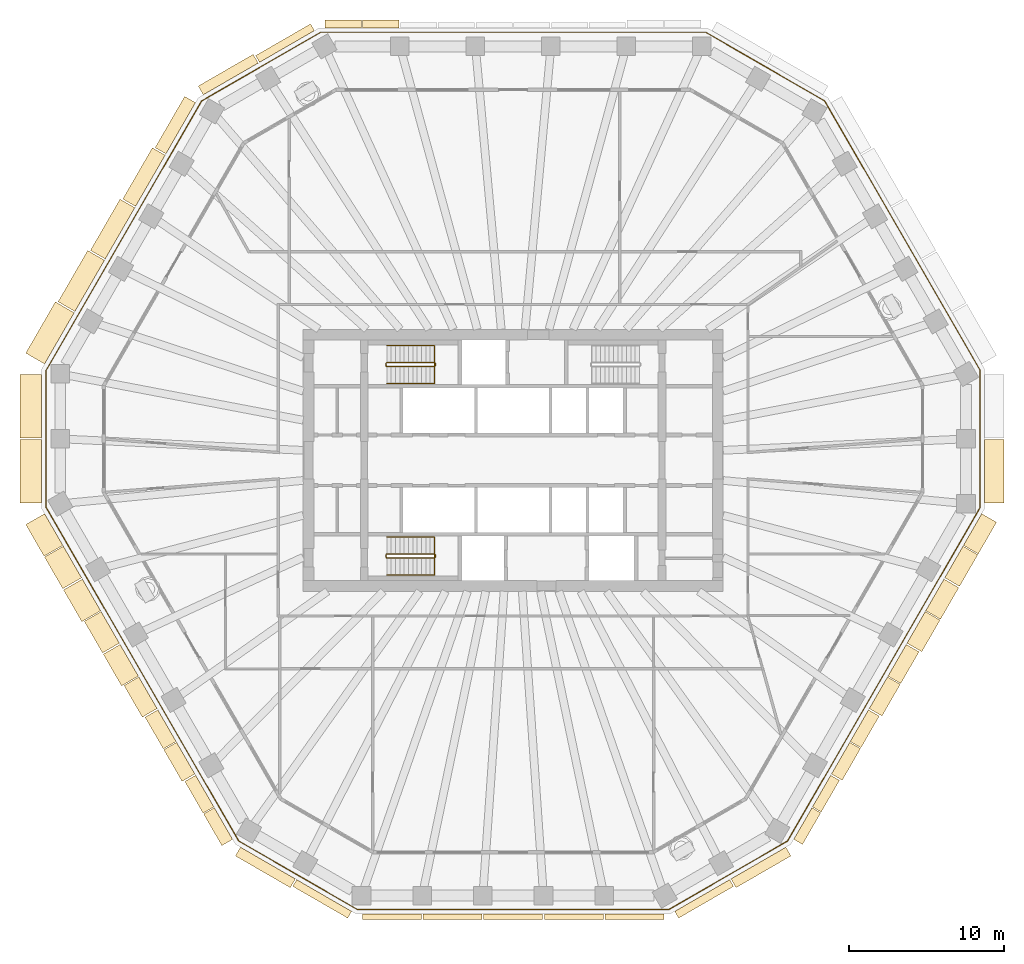
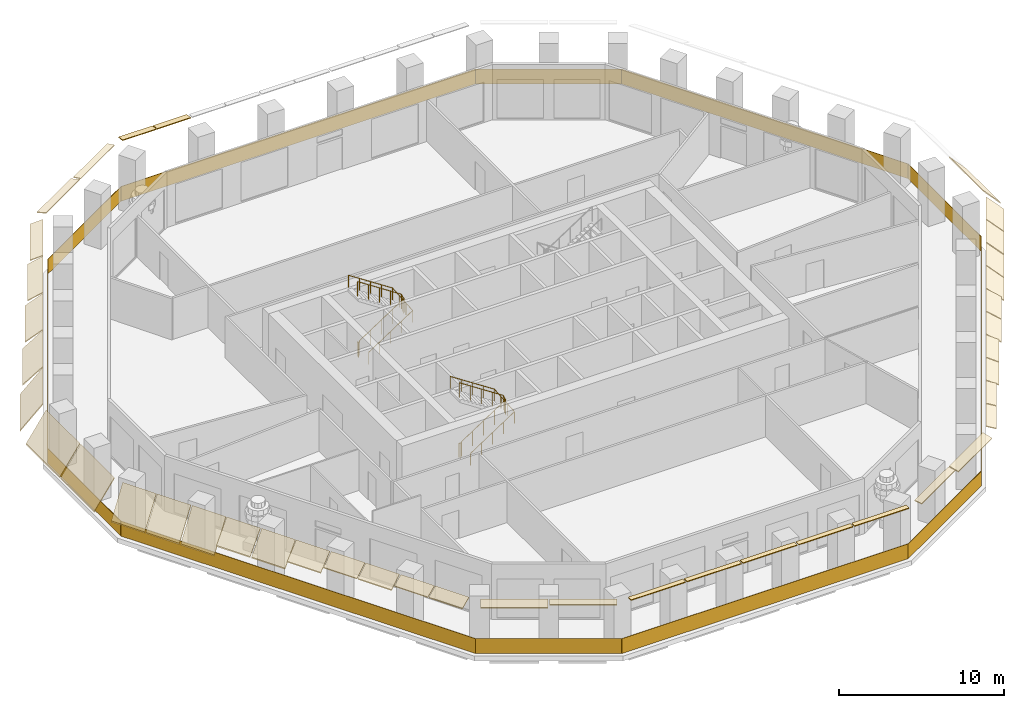
# One storey, part 9 of 12: 41 coverings, 5 railings.
"""IFC4 building model written with IfcOpenShell, lengths in metres."""

from ifc_helpers import new_model, si_unit, direction, frame, origin, origin_2d, place, context, subcontext, project, spatial, polyline, rectangle, circle, outline, extrude, material, layer, layer_set, type_object, element, save


model = new_model("IFC4")

# Units and contexts
model_context = context("Model", 3, precision=1e-05, world=origin(), true_north=direction((0.0, 1.0)))
body_context = subcontext(model_context, "Body", "Model", "MODEL_VIEW")
ifc_project = project(units=[si_unit("LENGTHUNIT", "METRE"), si_unit("AREAUNIT", "SQUARE_METRE"), si_unit("VOLUMEUNIT", "CUBIC_METRE"), si_unit("PLANEANGLEUNIT", "RADIAN"), si_unit("MASSUNIT", "GRAM", prefix="KILO")], contexts=[model_context])

# Site, building, storey
site_placement = place(None, origin())
site = spatial("IfcSite", under=ifc_project, at=site_placement, CompositionType="ELEMENT")
building_placement = place(site_placement, origin())
building = spatial("IfcBuilding", under=site, at=building_placement, Name="Frailejon Research Tower", CompositionType="ELEMENT")
storey_placement = place(building_placement, frame((0.0, 0.0, 189.199951171875)))
storey = spatial("IfcBuildingStorey", under=building, at=storey_placement, Name="L41", CompositionType="ELEMENT", Elevation=189.199951171875)

# Coverings
ifc_material_1 = material(Name="Precast concrete C50/60", Category="concrete")
ifc_layer_1 = layer(ifc_material_1, 0.06005859375)
ifc_layer_set_1 = layer_set([ifc_layer_1], Name="Brim blade depth 1100")
covering_type_1 = type_object("IfcCoveringType", Name="Brim blade depth 1100", PredefinedType="CLADDING", material=ifc_layer_set_1)
covering_1_placement = place(storey_placement, frame((-26.312744140625, 12.990478515625, 4.25), z_axis=(0.500001217064, 0.866024701111, 0.0), x_axis=(-0.866024701111, 0.500001217064, 0.0)))
element("IfcCovering", 1, at=covering_1_placement, inside=storey, type_object=covering_type_1, Name="Brim blade L41", PredefinedType="CLADDING", context=body_context, shape_type="SweptSolid", body=[
    extrude(outline(polyline([(0.0, -0.078369140625), (1.10009765625, -1.001220703125), (1.10009765625, -0.923095703125), (0.0, 0.0), (0.0, -0.078369140625)])), origin(), (0.0, 0.0, 1.0), 3.8125),
])
for number, where, z_axis, x_axis, name in (
    (2, (-22.969482421875, -16.015625, 4.25), (-0.50000563012, 0.866022153209, 0.0), (-0.866022153209, -0.50000563012, 0.0), "Brim blade L41"),
    (3, (26.58251953125, -9.7578125, 4.25), (-0.499996739973, -0.866027285954, 0.0), (0.866027285954, -0.499996739973, 0.0), "Brim blade L41"),
    (4, (27.7900390625, -7.666259765625, 4.25), (-0.499996739973, -0.866027285954, 0.0), (0.866027285954, -0.499996739973, 0.0), "Brim blade L41"),
    (5, (29.017578125, -5.539794921875, 4.25), (-0.499996739973, -0.866027285954, 0.0), (0.866027285954, -0.499996739973, 0.0), "Brim blade L41"),
    (6, (30.225341796875, -3.447998046875, 4.25), (-0.499996739973, -0.866027285954, 0.0), (0.866027285954, -0.499996739973, 0.0), "Brim blade L41"),
):
    element("IfcCovering", number, at=place(storey_placement, frame(where, z_axis=z_axis, x_axis=x_axis)), inside=storey, type_object=covering_type_1, Name=name, PredefinedType="CLADDING", context=body_context, shape_type="SweptSolid", body=[
        extrude(outline(polyline([(0.0, -0.078369140625), (1.10009765625, -1.001220703125), (1.10009765625, -0.923095703125), (0.0, 0.0), (0.0, -0.078369140625)])), origin(), (0.0, 0.0, 1.0), 2.355224609375),
    ])
ifc_material_2 = material(Name="Precast concrete C50/60", Category="concrete")
ifc_layer_2 = layer(ifc_material_2, 0.06005859375)
ifc_layer_set_2 = layer_set([ifc_layer_2], Name="Brim blade depth 1250")
covering_type_2 = type_object("IfcCoveringType", Name="Brim blade depth 1250", PredefinedType="CLADDING", material=ifc_layer_set_2)
covering_2_placement = place(storey_placement, frame((30.4111328125, 1.332763671875, 4.25), z_axis=(0.0, -1.0, 0.0), x_axis=(1.0, 0.0, 0.0)))
element("IfcCovering", 7, at=covering_2_placement, inside=storey, type_object=covering_type_2, Name="Brim blade L41", PredefinedType="CLADDING", context=body_context, shape_type="SweptSolid", body=[
    extrude(outline(polyline([(0.0, -0.0888671875), (1.25, -1.452880859375), (1.25, -1.364013671875), (0.0, 0.0), (0.0, -0.0888671875)])), origin(), (0.0, 0.0, 1.0), 4.087646484375),
])
covering_3_placement = place(storey_placement, frame((-28.26904296875, 9.60205078125, 4.25), z_axis=(0.499990149831, 0.866031090707, 0.0), x_axis=(-0.866031090707, 0.499990149831, 0.0)))
element("IfcCovering", 8, at=covering_3_placement, inside=storey, type_object=covering_type_2, Name="Brim blade L41", PredefinedType="CLADDING", context=body_context, shape_type="SweptSolid", body=[
    extrude(outline(polyline([(0.0, -0.0888671875), (1.25, -1.452880859375), (1.25, -1.364013671875), (0.0, 0.0), (0.0, -0.0888671875)])), origin(), (0.0, 0.0, 1.0), 3.812744140625),
])
for number, where, z_axis, x_axis, name in (
    (9, (-25.40478515625, -11.797607421875, 4.25), (-0.499996739973, 0.866027285954, 0.0), (-0.866027285954, -0.499996739973, 0.0), "Brim blade L41"),
    (10, (-24.177001953125, -13.924072265625, 4.25), (-0.50000563012, 0.866022153209, 0.0), (-0.866022153209, -0.50000563012, 0.0), "Brim blade L41"),
):
    element("IfcCovering", number, at=place(storey_placement, frame(where, z_axis=z_axis, x_axis=x_axis)), inside=storey, type_object=covering_type_2, Name=name, PredefinedType="CLADDING", context=body_context, shape_type="SweptSolid", body=[
        extrude(outline(polyline([(0.0, -0.0888671875), (1.25, -1.452880859375), (1.25, -1.364013671875), (0.0, 0.0), (0.0, -0.0888671875)])), origin(), (0.0, 0.0, 1.0), 2.355224609375),
    ])
ifc_material_3 = material(Name="Precast concrete C50/60", Category="concrete")
ifc_layer_3 = layer(ifc_material_3, 0.06005859375)
ifc_layer_set_3 = layer_set([ifc_layer_3], Name="Brim blade depth 1400")
covering_type_3 = type_object("IfcCoveringType", Name="Brim blade depth 1400", PredefinedType="CLADDING", material=ifc_layer_set_3)
covering_4_placement = place(storey_placement, frame((-30.225341796875, 6.213623046875, 4.25), z_axis=(0.500001217064, 0.866024701111, 0.0), x_axis=(-0.866024701111, 0.500001217064, 0.0)))
element("IfcCovering", 11, at=covering_4_placement, inside=storey, type_object=covering_type_3, Name="Brim blade L41", PredefinedType="CLADDING", context=body_context, shape_type="SweptSolid", body=[
    extrude(outline(polyline([(0.0, -0.1044921875), (1.39990234375, -2.10400390625), (1.39990234375, -1.99951171875), (0.0, 0.0), (0.0, -0.1044921875)])), origin(), (0.0, 0.0, 1.0), 3.8125),
])
covering_5_placement = place(storey_placement, frame((-30.4111328125, 1.432861328125, 4.25), z_axis=(0.0, 1.0, 0.0), x_axis=(-1.0, 0.0, 0.0)))
element("IfcCovering", 12, at=covering_5_placement, inside=storey, type_object=covering_type_3, Name="Brim blade L41", PredefinedType="CLADDING", context=body_context, shape_type="SweptSolid", body=[
    extrude(outline(polyline([(0.0, -0.1044921875), (1.39990234375, -2.10400390625), (1.39990234375, -1.99951171875), (0.0, 0.0), (0.0, -0.1044921875)])), origin(), (0.0, 0.0, 1.0), 4.08740234375),
])
covering_6_placement = place(storey_placement, frame((-30.4111328125, -2.7548828125, 4.25), z_axis=(0.0, 1.0, 0.0), x_axis=(-1.0, 0.0, 0.0)))
element("IfcCovering", 13, at=covering_6_placement, inside=storey, type_object=covering_type_3, Name="Brim blade L41", PredefinedType="CLADDING", context=body_context, shape_type="SweptSolid", body=[
    extrude(outline(polyline([(0.0, -0.1044921875), (1.39990234375, -2.10400390625), (1.39990234375, -1.99951171875), (0.0, 0.0), (0.0, -0.1044921875)])), origin(), (0.0, 0.0, 1.0), 4.087646484375),
])
for number, where, z_axis, x_axis, name in (
    (14, (-29.047607421875, -5.48779296875, 4.25), (-0.499996739973, 0.866027285954, 0.0), (-0.866027285954, -0.499996739973, 0.0), "Brim blade L41"),
    (15, (-27.840087890625, -7.57958984375, 4.25), (-0.499996739973, 0.866027285954, 0.0), (-0.866027285954, -0.499996739973, 0.0), "Brim blade L41"),
    (16, (-26.6123046875, -9.7060546875, 4.25), (-0.499996739973, 0.866027285954, 0.0), (-0.866027285954, -0.499996739973, 0.0), "Brim blade L41"),
):
    element("IfcCovering", number, at=place(storey_placement, frame(where, z_axis=z_axis, x_axis=x_axis)), inside=storey, type_object=covering_type_3, Name=name, PredefinedType="CLADDING", context=body_context, shape_type="SweptSolid", body=[
        extrude(outline(polyline([(0.0, -0.1044921875), (1.39990234375, -2.10400390625), (1.39990234375, -1.99951171875), (0.0, 0.0), (0.0, -0.1044921875)])), origin(), (0.0, 0.0, 1.0), 2.355224609375),
    ])
ifc_material_4 = material(Name="Precast concrete C50/60", Category="concrete")
ifc_layer_4 = layer(ifc_material_4, 0.06005859375)
ifc_layer_set_4 = layer_set([ifc_layer_4], Name="Brim blade depth 350")
covering_type_4 = type_object("IfcCoveringType", Name="Brim blade depth 350", PredefinedType="CLADDING", material=ifc_layer_set_4)
for number, where, z_axis, x_axis, name in (
    (17, (-5.9189453125, -29.28271484375, 4.25), (-1.0, 0.0, 0.0), (0.0, -1.0, 0.0), "Brim blade L41"),
    (18, (-2.00634765625, -29.28271484375, 4.25), (-1.0, 0.0, 0.0), (0.0, -1.0, 0.0), "Brim blade L41"),
    (19, (1.90625, -29.28271484375, 4.25), (-1.0, 0.0, 0.0), (0.0, -1.0, 0.0), "Brim blade L41"),
    (20, (5.81884765625, -29.28271484375, 4.25), (-1.0, 0.0, 0.0), (0.0, -1.0, 0.0), "Brim blade L41"),
    (21, (9.7314453125, -29.28271484375, 4.25), (-1.0, 0.0, 0.0), (0.0, -1.0, 0.0), "Brim blade L41"),
):
    element("IfcCovering", number, at=place(storey_placement, frame(where, z_axis=z_axis, x_axis=x_axis)), inside=storey, type_object=covering_type_4, Name=name, PredefinedType="CLADDING", context=body_context, shape_type="SweptSolid", body=[
        extrude(outline(polyline([(0.0, -0.06005859375), (0.35009765625, -0.06005859375), (0.35009765625, 0.0), (0.0, 0.0), (0.0, -0.06005859375)])), origin(), (0.0, 0.0, 1.0), 3.8125),
    ])
ifc_material_5 = material(Name="Precast concrete C50/60", Category="concrete")
ifc_layer_5 = layer(ifc_material_5, 0.06005859375)
ifc_layer_set_5 = layer_set([ifc_layer_5], Name="Brim blade depth 500")
covering_type_5 = type_object("IfcCoveringType", Name="Brim blade depth 500", PredefinedType="CLADDING", material=ifc_layer_set_5)
for number, where, z_axis, x_axis, name in (
    (22, (-9.711181640625, 27.89990234375, 4.25), (1.0, 0.0, 0.0), (0.0, 1.0, 0.0), "Brim blade L41"),
    (23, (-12.12646484375, 27.89990234375, 4.25), (1.0, 0.0, 0.0), (0.0, 1.0, 0.0), "Brim blade L41"),
):
    element("IfcCovering", number, at=place(storey_placement, frame(where, z_axis=z_axis, x_axis=x_axis)), inside=storey, type_object=covering_type_5, Name=name, PredefinedType="CLADDING", context=body_context, shape_type="SweptSolid", body=[
        extrude(outline(polyline([(0.0, -0.060546875), (0.5, -0.130859375), (0.5, -0.0703125), (0.0, 0.0), (0.0, -0.060546875)])), origin(), (0.0, 0.0, 1.0), 2.355224609375),
    ])
for number, where, z_axis, x_axis, name in (
    (24, (-16.35986328125, 25.67041015625, 4.25), (0.866027315287, 0.499996689166, 0.0), (-0.499996689166, 0.866027315287, 0.0), "Brim blade L41"),
    (25, (-10.4248046875, -29.096923828125, 4.25), (-0.866027315287, 0.499996689166, 0.0), (-0.499996689166, -0.866027315287, 0.0), "Brim blade L41"),
    (26, (13.96484375, -27.05322265625, 4.25), (-0.866027315287, -0.499996689166, 0.0), (0.499996689166, -0.866027315287, 0.0), "Brim blade L41"),
):
    element("IfcCovering", number, at=place(storey_placement, frame(where, z_axis=z_axis, x_axis=x_axis)), inside=storey, type_object=covering_type_5, Name=name, PredefinedType="CLADDING", context=body_context, shape_type="SweptSolid", body=[
        extrude(outline(polyline([(0.0, -0.060546875), (0.5, -0.130859375), (0.5, -0.0703125), (0.0, 0.0), (0.0, -0.060546875)])), origin(), (0.0, 0.0, 1.0), 4.087646484375),
    ])
ifc_material_6 = material(Name="Precast concrete C50/60", Category="concrete")
ifc_layer_6 = layer(ifc_material_6, 0.06005859375)
ifc_layer_set_6 = layer_set([ifc_layer_6], Name="Brim blade depth 650")
covering_type_6 = type_object("IfcCoveringType", Name="Brim blade depth 650", PredefinedType="CLADDING", material=ifc_layer_set_6)
for number, where, z_axis, x_axis, name in (
    (27, (-19.986328125, 23.57666015625, 4.25), (0.866021344981, 0.500007029989, 0.0), (-0.500007029989, 0.866021344981, 0.0), "Brim blade L41"),
    (28, (-14.051513671875, -27.003173828125, 4.25), (-0.866021344981, 0.500007029989, 0.0), (-0.500007029989, -0.866021344981, 0.0), "Brim blade L41"),
    (29, (17.59130859375, -24.95947265625, 4.25), (-0.866021344981, -0.500007029989, 0.0), (0.500007029989, -0.866021344981, 0.0), "Brim blade L41"),
):
    element("IfcCovering", number, at=place(storey_placement, frame(where, z_axis=z_axis, x_axis=x_axis)), inside=storey, type_object=covering_type_6, Name=name, PredefinedType="CLADDING", context=body_context, shape_type="SweptSolid", body=[
        extrude(outline(polyline([(0.0, -0.0625), (0.64990234375, -0.248779296875), (0.64990234375, -0.186279296875), (0.0, 0.0), (0.0, -0.0625)])), origin(), (0.0, 0.0, 1.0), 4.08740234375),
    ])
for number, where, z_axis, x_axis, name in (
    (30, (19.276611328125, -22.412109375, 4.25), (-0.499996739973, -0.866027285954, 0.0), (0.866027285954, -0.499996739973, 0.0), "Brim blade L41"),
    (31, (20.484130859375, -20.3203125, 4.25), (-0.499996739973, -0.866027285954, 0.0), (0.866027285954, -0.499996739973, 0.0), "Brim blade L41"),
):
    element("IfcCovering", number, at=place(storey_placement, frame(where, z_axis=z_axis, x_axis=x_axis)), inside=storey, type_object=covering_type_6, Name=name, PredefinedType="CLADDING", context=body_context, shape_type="SweptSolid", body=[
        extrude(outline(polyline([(0.0, -0.0625), (0.64990234375, -0.248779296875), (0.64990234375, -0.186279296875), (0.0, 0.0), (0.0, -0.0625)])), origin(), (0.0, 0.0, 1.0), 2.355224609375),
    ])
ifc_material_7 = material(Name="Precast concrete C50/60", Category="concrete")
ifc_layer_7 = layer(ifc_material_7, 0.06005859375)
ifc_layer_set_7 = layer_set([ifc_layer_7], Name="Brim blade depth 800")
covering_type_7 = type_object("IfcCoveringType", Name="Brim blade depth 800", PredefinedType="CLADDING", material=ifc_layer_set_7)
covering_7_placement = place(storey_placement, frame((-22.400146484375, 19.767333984375, 4.25), z_axis=(0.500001217064, 0.866024701111, 0.0), x_axis=(-0.866024701111, 0.500001217064, 0.0)))
element("IfcCovering", 32, at=covering_7_placement, inside=storey, type_object=covering_type_7, Name="Brim blade L41", PredefinedType="CLADDING", context=body_context, shape_type="SweptSolid", body=[
    extrude(outline(polyline([(0.0, -0.065673828125), (0.800048828125, -0.421875), (0.800048828125, -0.356201171875), (0.0, 0.0), (0.0, -0.065673828125)])), origin(), (0.0, 0.0, 1.0), 3.8125),
])
for number, where, z_axis, x_axis, name in (
    (33, (-19.306396484375, -22.360107421875, 4.25), (-0.499996739973, 0.866027285954, 0.0), (-0.866027285954, -0.499996739973, 0.0), "Brim blade L41"),
    (34, (-18.098876953125, -24.451904296875, 4.25), (-0.499996739973, 0.866027285954, 0.0), (-0.866027285954, -0.499996739973, 0.0), "Brim blade L41"),
    (35, (21.7119140625, -18.194091796875, 4.25), (-0.499996739973, -0.866027285954, 0.0), (0.866027285954, -0.499996739973, 0.0), "Brim blade L41"),
    (36, (22.91943359375, -16.102294921875, 4.25), (-0.499996739973, -0.866027285954, 0.0), (0.866027285954, -0.499996739973, 0.0), "Brim blade L41"),
):
    element("IfcCovering", number, at=place(storey_placement, frame(where, z_axis=z_axis, x_axis=x_axis)), inside=storey, type_object=covering_type_7, Name=name, PredefinedType="CLADDING", context=body_context, shape_type="SweptSolid", body=[
        extrude(outline(polyline([(0.0, -0.065673828125), (0.800048828125, -0.421875), (0.800048828125, -0.356201171875), (0.0, 0.0), (0.0, -0.065673828125)])), origin(), (0.0, 0.0, 1.0), 2.355224609375),
    ])
ifc_material_8 = material(Name="Precast concrete C50/60", Category="concrete")
ifc_layer_8 = layer(ifc_material_8, 0.06005859375)
ifc_layer_set_8 = layer_set([ifc_layer_8], Name="Brim blade depth 950")
covering_type_8 = type_object("IfcCoveringType", Name="Brim blade depth 950", PredefinedType="CLADDING", material=ifc_layer_set_8)
covering_8_placement = place(storey_placement, frame((-24.3564453125, 16.37890625, 4.25), z_axis=(0.500001217064, 0.866024701111, 0.0), x_axis=(-0.866024701111, 0.500001217064, 0.0)))
element("IfcCovering", 37, at=covering_8_placement, inside=storey, type_object=covering_type_8, Name="Brim blade L41", PredefinedType="CLADDING", context=body_context, shape_type="SweptSolid", body=[
    extrude(outline(polyline([(0.0, -0.07080078125), (0.949951171875, -0.664306640625), (0.949951171875, -0.593505859375), (0.0, 0.0), (0.0, -0.07080078125)])), origin(), (0.0, 0.0, 1.0), 3.8125),
])
for number, where, z_axis, x_axis, name in (
    (38, (-21.74169921875, -18.14208984375, 4.25), (-0.499996739973, 0.866027285954, 0.0), (-0.866027285954, -0.499996739973, 0.0), "Brim blade L41"),
    (39, (-20.5341796875, -20.23388671875, 4.25), (-0.499996739973, 0.866027285954, 0.0), (-0.866027285954, -0.499996739973, 0.0), "Brim blade L41"),
    (40, (24.147216796875, -13.97607421875, 4.25), (-0.50000563012, -0.866022153209, 0.0), (0.866022153209, -0.50000563012, 0.0), "Brim blade L41"),
    (41, (25.354736328125, -11.88427734375, 4.25), (-0.50000563012, -0.866022153209, 0.0), (0.866022153209, -0.50000563012, 0.0), "Brim blade L41"),
):
    element("IfcCovering", number, at=place(storey_placement, frame(where, z_axis=z_axis, x_axis=x_axis)), inside=storey, type_object=covering_type_8, Name=name, PredefinedType="CLADDING", context=body_context, shape_type="SweptSolid", body=[
        extrude(outline(polyline([(0.0, -0.07080078125), (0.949951171875, -0.664306640625), (0.949951171875, -0.593505859375), (0.0, 0.0), (0.0, -0.07080078125)])), origin(), (0.0, 0.0, 1.0), 2.355224609375),
    ])

# Railings
ifc_material_9 = material(Name="Laminated glass balustrade", Category="glass")
railing_type_1 = type_object("IfcRailingType", Name="Glass guard 1100", PredefinedType="GUARDRAIL", material=ifc_material_9)
railing_1_placement = place(storey_placement, frame((30.119873046875, -3.04833984375, 0.0)))
element("IfcRailing", 42, at=railing_1_placement, inside=storey, type_object=railing_type_1, Name="Loggia guard L41", PredefinedType="GUARDRAIL", context=body_context, shape_type="SweptSolid", body=[
    extrude(rectangle(XDim=8.862060546875, YDim=0.030029296875, at=origin_2d()), frame((0.0, 4.43115234375, 0.0), z_axis=(0.0, 0.0, 1.0), x_axis=(0.0, 1.0, 0.0)), (0.0, 0.0, 1.0), 1.10009765625),
    extrude(rectangle(XDim=20.050048828125, YDim=0.030029296875, at=origin_2d()), frame((-5.0126953125, 17.5439453125, 0.0), z_axis=(0.0, 0.0, 1.0), x_axis=(-0.500006339302, 0.866021743756, 0.0)), (0.0, 0.0, 1.0), 1.10009765625),
    extrude(rectangle(XDim=8.862060546875, YDim=0.030029296875, at=origin_2d()), frame((-13.862548828125, 28.44140625, 0.0), z_axis=(0.0, 0.0, 1.0), x_axis=(-0.86602043012, 0.50000861454, 0.0)), (0.0, 0.0, 1.0), 1.10009765625),
    extrude(rectangle(XDim=24.83984375, YDim=0.030029296875, at=origin_2d()), frame((-30.119873046875, 30.656982421875, 0.0), z_axis=(0.0, 0.0, 1.0), x_axis=(-1.0, 0.0, 0.0)), (0.0, 0.0, 1.0), 1.10009765625),
    extrude(rectangle(XDim=8.862060546875, YDim=0.030029296875, at=origin_2d()), frame((-46.377197265625, 28.44140625, 0.0), z_axis=(0.0, 0.0, 1.0), x_axis=(-0.86602043012, -0.50000861454, 0.0)), (0.0, 0.0, 1.0), 1.10009765625),
    extrude(rectangle(XDim=20.050048828125, YDim=0.030029296875, at=origin_2d()), frame((-55.22705078125, 17.5439453125, 0.0), z_axis=(0.0, 0.0, 1.0), x_axis=(-0.500006339302, -0.866021743756, 0.0)), (0.0, 0.0, 1.0), 1.10009765625),
    extrude(rectangle(XDim=8.862060546875, YDim=0.030029296875, at=origin_2d()), frame((-60.23974609375, 4.43115234375, 0.0), z_axis=(0.0, 0.0, 1.0), x_axis=(0.0, -1.0, 0.0)), (0.0, 0.0, 1.0), 1.10009765625),
    extrude(rectangle(XDim=24.840087890625, YDim=0.030029296875, at=origin_2d()), frame((-54.02978515625, -10.755859375, 0.0), z_axis=(0.0, 0.0, 1.0), x_axis=(0.50000689763, -0.866021421399, 0.0)), (0.0, 0.0, 1.0), 1.10009765625),
    extrude(rectangle(XDim=8.862060546875, YDim=0.030029296875, at=origin_2d()), frame((-43.982177734375, -23.7275390625, 0.0), z_axis=(0.0, 0.0, 1.0), x_axis=(0.86602043012, -0.50000861454, 0.0)), (0.0, 0.0, 1.0), 1.10009765625),
    extrude(rectangle(XDim=20.0498046875, YDim=0.030029296875, at=origin_2d()), frame((-30.119873046875, -25.943115234375, 0.0), z_axis=(0.0, 0.0, 1.0), x_axis=(1.0, 0.0, 0.0)), (0.0, 0.0, 1.0), 1.10009765625),
    extrude(rectangle(XDim=8.862060546875, YDim=0.030029296875, at=origin_2d()), frame((-16.257568359375, -23.7275390625, 0.0), z_axis=(0.0, 0.0, 1.0), x_axis=(0.86602043012, 0.50000861454, 0.0)), (0.0, 0.0, 1.0), 1.10009765625),
    extrude(rectangle(XDim=24.77001953125, YDim=0.030029296875, at=origin_2d()), frame((-6.2275390625, -10.7861328125, 0.0), z_axis=(0.0, 0.0, 1.0), x_axis=(0.500000876701, 0.86602489762, 0.0)), (0.0, 0.0, 1.0), 1.10009765625),
])
ifc_material_10 = material(Name="Stainless steel", Category="steel")
railing_type_2 = type_object("IfcRailingType", Name="Stair guard 1100", PredefinedType="GUARDRAIL", material=ifc_material_10)
railing_2_placement = place(storey_placement, frame((-8.199951171875, 6.25, 0.0)))
element("IfcRailing", 43, at=railing_2_placement, inside=storey, type_object=railing_type_2, Name="L41 ST1 stair guard 1", PredefinedType="GUARDRAIL", context=body_context, shape_type="SweptSolid", body=[
    extrude(circle(Radius=0.02392578125, at=origin_2d()), frame((0.0, 0.0, 1.076171875), z_axis=(0.0, -1.0, 0.0), x_axis=(1.0, 0.0, 0.0)), (0.0, 0.0, 1.0), 0.14990234375),
    extrude(circle(Radius=0.02392578125, at=origin_2d()), frame((0.0, -0.14990234375, 1.076171875), z_axis=(0.254653276557, -0.254653276557, 0.932900539971), x_axis=(0.707106781187, 0.707106781187, 0.0)), (0.0, 0.0, 1.0), 0.196533203125),
    extrude(circle(Radius=0.02392578125, at=origin_2d()), frame((0.050048828125, -0.199951171875, 1.25927734375), z_axis=(0.836613101238, 0.0, 0.547794230379), x_axis=(0.0, 1.0, 0.0)), (0.0, 0.0, 1.0), 3.681396484375),
    extrude(circle(Radius=0.02392578125, at=origin_2d()), frame((3.1298828125, -0.199951171875, 3.27587890625), z_axis=(0.707106781187, 0.707106781187, 0.0), x_axis=(-0.707106781187, 0.707106781187, 0.0)), (0.0, 0.0, 1.0), 0.07080078125),
    extrude(circle(Radius=0.02392578125, at=origin_2d()), frame((3.179931640625, -0.14990234375, 3.27587890625), z_axis=(0.0, 1.0, 0.0), x_axis=(-1.0, 0.0, 0.0)), (0.0, 0.0, 1.0), 0.14990234375),
    extrude(circle(Radius=0.02392578125, at=origin_2d()), frame((3.179931640625, 0.0, 3.27587890625), z_axis=(-0.254653276557, 0.254653276557, 0.932900539971), x_axis=(-0.707106781187, -0.707106781187, 0.0)), (0.0, 0.0, 1.0), 0.196533203125),
    extrude(circle(Radius=0.02392578125, at=origin_2d()), frame((3.1298828125, 0.050048828125, 3.45947265625), z_axis=(-0.836582707638, 0.0, 0.547840645882), x_axis=(0.0, -1.0, 0.0)), (0.0, 0.0, 1.0), 3.681396484375),
    extrude(circle(Radius=0.02099609375, at=origin_2d()), origin(), (0.0, 0.0, 1.0), 1.052001953125),
    extrude(circle(Radius=0.02099609375, at=origin_2d()), frame((0.0, -0.14990234375, 0.0)), (0.0, 0.0, 1.0), 1.052001953125),
    extrude(circle(Radius=0.02099609375, at=origin_2d()), frame((0.050048828125, -0.199951171875, 0.183349609375)), (0.0, 0.0, 1.0), 1.052001953125),
    extrude(circle(Radius=0.02099609375, at=origin_2d()), frame((0.820068359375, -0.199951171875, 0.6875)), (0.0, 0.0, 1.0), 1.052001953125),
    extrude(circle(Radius=0.02099609375, at=origin_2d()), frame((1.58984375, -0.199951171875, 1.191650390625)), (0.0, 0.0, 1.0), 1.052001953125),
    extrude(circle(Radius=0.02099609375, at=origin_2d()), frame((2.35986328125, -0.199951171875, 1.69580078125)), (0.0, 0.0, 1.0), 1.052001953125),
    extrude(circle(Radius=0.02099609375, at=origin_2d()), frame((3.1298828125, -0.199951171875, 2.199951171875)), (0.0, 0.0, 1.0), 1.052001953125),
    extrude(circle(Radius=0.02099609375, at=origin_2d()), frame((3.179931640625, -0.14990234375, 2.199951171875)), (0.0, 0.0, 1.0), 1.052001953125),
    extrude(circle(Radius=0.02099609375, at=origin_2d()), frame((3.179931640625, 0.0, 2.199951171875)), (0.0, 0.0, 1.0), 1.052001953125),
    extrude(circle(Radius=0.02099609375, at=origin_2d()), frame((3.1298828125, 0.050048828125, 2.38330078125)), (0.0, 0.0, 1.0), 1.052001953125),
    extrude(circle(Radius=0.02099609375, at=origin_2d()), frame((2.35986328125, 0.050048828125, 2.887451171875)), (0.0, 0.0, 1.0), 1.052001953125),
    extrude(circle(Radius=0.02099609375, at=origin_2d()), frame((1.58984375, 0.050048828125, 3.3916015625)), (0.0, 0.0, 1.0), 1.052001953125),
    extrude(circle(Radius=0.02099609375, at=origin_2d()), frame((0.820068359375, 0.050048828125, 3.89599609375)), (0.0, 0.0, 1.0), 1.052001953125),
    extrude(circle(Radius=0.02099609375, at=origin_2d()), frame((0.050048828125, 0.050048828125, 4.400146484375)), (0.0, 0.0, 1.0), 1.052001953125),
])
railing_3_placement = place(storey_placement, frame((-8.199951171875, -6.10009765625, 0.0)))
element("IfcRailing", 44, at=railing_3_placement, inside=storey, type_object=railing_type_2, Name="L41 ST2 stair guard 1", PredefinedType="GUARDRAIL", context=body_context, shape_type="SweptSolid", body=[
    extrude(circle(Radius=0.02392578125, at=origin_2d()), frame((0.0, 0.0, 1.076171875), z_axis=(0.0, -1.0, 0.0), x_axis=(1.0, 0.0, 0.0)), (0.0, 0.0, 1.0), 0.14990234375),
    extrude(circle(Radius=0.02392578125, at=origin_2d()), frame((0.0, -0.14990234375, 1.076171875), z_axis=(0.254653276557, -0.254653276557, 0.932900539971), x_axis=(0.707106781187, 0.707106781187, 0.0)), (0.0, 0.0, 1.0), 0.196533203125),
    extrude(circle(Radius=0.02392578125, at=origin_2d()), frame((0.050048828125, -0.199951171875, 1.25927734375), z_axis=(0.836613101238, 0.0, 0.547794230379), x_axis=(0.0, 1.0, 0.0)), (0.0, 0.0, 1.0), 3.681396484375),
    extrude(circle(Radius=0.02392578125, at=origin_2d()), frame((3.1298828125, -0.199951171875, 3.27587890625), z_axis=(0.707106781187, 0.707106781187, 0.0), x_axis=(-0.707106781187, 0.707106781187, 0.0)), (0.0, 0.0, 1.0), 0.07080078125),
    extrude(circle(Radius=0.02392578125, at=origin_2d()), frame((3.179931640625, -0.14990234375, 3.27587890625), z_axis=(0.0, 1.0, 0.0), x_axis=(-1.0, 0.0, 0.0)), (0.0, 0.0, 1.0), 0.14990234375),
    extrude(circle(Radius=0.02392578125, at=origin_2d()), frame((3.179931640625, 0.0, 3.27587890625), z_axis=(-0.254653276557, 0.254653276557, 0.932900539971), x_axis=(-0.707106781187, -0.707106781187, 0.0)), (0.0, 0.0, 1.0), 0.196533203125),
    extrude(circle(Radius=0.02392578125, at=origin_2d()), frame((3.1298828125, 0.050048828125, 3.45947265625), z_axis=(-0.836582707638, 0.0, 0.547840645882), x_axis=(0.0, -1.0, 0.0)), (0.0, 0.0, 1.0), 3.681396484375),
    extrude(circle(Radius=0.02099609375, at=origin_2d()), origin(), (0.0, 0.0, 1.0), 1.052001953125),
    extrude(circle(Radius=0.02099609375, at=origin_2d()), frame((0.0, -0.14990234375, 0.0)), (0.0, 0.0, 1.0), 1.052001953125),
    extrude(circle(Radius=0.02099609375, at=origin_2d()), frame((0.050048828125, -0.199951171875, 0.183349609375)), (0.0, 0.0, 1.0), 1.052001953125),
    extrude(circle(Radius=0.02099609375, at=origin_2d()), frame((0.820068359375, -0.199951171875, 0.6875)), (0.0, 0.0, 1.0), 1.052001953125),
    extrude(circle(Radius=0.02099609375, at=origin_2d()), frame((1.58984375, -0.199951171875, 1.191650390625)), (0.0, 0.0, 1.0), 1.052001953125),
    extrude(circle(Radius=0.02099609375, at=origin_2d()), frame((2.35986328125, -0.199951171875, 1.69580078125)), (0.0, 0.0, 1.0), 1.052001953125),
    extrude(circle(Radius=0.02099609375, at=origin_2d()), frame((3.1298828125, -0.199951171875, 2.199951171875)), (0.0, 0.0, 1.0), 1.052001953125),
    extrude(circle(Radius=0.02099609375, at=origin_2d()), frame((3.179931640625, -0.14990234375, 2.199951171875)), (0.0, 0.0, 1.0), 1.052001953125),
    extrude(circle(Radius=0.02099609375, at=origin_2d()), frame((3.179931640625, 0.0, 2.199951171875)), (0.0, 0.0, 1.0), 1.052001953125),
    extrude(circle(Radius=0.02099609375, at=origin_2d()), frame((3.1298828125, 0.050048828125, 2.38330078125)), (0.0, 0.0, 1.0), 1.052001953125),
    extrude(circle(Radius=0.02099609375, at=origin_2d()), frame((2.35986328125, 0.050048828125, 2.887451171875)), (0.0, 0.0, 1.0), 1.052001953125),
    extrude(circle(Radius=0.02099609375, at=origin_2d()), frame((1.58984375, 0.050048828125, 3.3916015625)), (0.0, 0.0, 1.0), 1.052001953125),
    extrude(circle(Radius=0.02099609375, at=origin_2d()), frame((0.820068359375, 0.050048828125, 3.89599609375)), (0.0, 0.0, 1.0), 1.052001953125),
    extrude(circle(Radius=0.02099609375, at=origin_2d()), frame((0.050048828125, 0.050048828125, 4.400146484375)), (0.0, 0.0, 1.0), 1.052001953125),
])
ifc_material_11 = material(Name="Stainless steel", Category="steel")
railing_type_3 = type_object("IfcRailingType", Name="Stair handrail 900", PredefinedType="HANDRAIL", material=ifc_material_11)
railing_4_placement = place(storey_placement, frame((-8.14990234375, 4.949951171875, 0.183349609375)))
element("IfcRailing", 45, at=railing_4_placement, inside=storey, type_object=railing_type_3, Name="L41 ST1 stair handrail 1", PredefinedType="HANDRAIL", context=body_context, shape_type="SweptSolid", body=[
    extrude(circle(Radius=0.02392578125, at=origin_2d()), frame((0.0, 0.0, 0.8759765625), z_axis=(0.836613101238, 0.0, 0.547794230379), x_axis=(0.0, 1.0, 0.0)), (0.0, 0.0, 1.0), 3.681396484375),
    extrude(circle(Radius=0.02392578125, at=origin_2d()), frame((3.079833984375, 0.0, 2.892578125), z_axis=(0.0, 0.99721134034, 0.074629368868), x_axis=(-1.0, 0.0, 0.0)), (0.0, 0.0, 1.0), 2.456787109375),
    extrude(circle(Radius=0.02392578125, at=origin_2d()), frame((3.079833984375, 2.449951171875, 3.07568359375), z_axis=(-0.836582707638, 0.0, 0.547840645882), x_axis=(0.0, -1.0, 0.0)), (0.0, 0.0, 1.0), 3.681396484375),
    extrude(circle(Radius=0.02099609375, at=origin_2d()), origin(), (0.0, 0.0, 1.0), 0.851806640625),
    extrude(circle(Radius=0.02099609375, at=origin_2d()), frame((0.77001953125, 0.0, 0.504150390625)), (0.0, 0.0, 1.0), 0.851806640625),
    extrude(circle(Radius=0.02099609375, at=origin_2d()), frame((1.5400390625, 0.0, 1.00830078125)), (0.0, 0.0, 1.0), 0.851806640625),
    extrude(circle(Radius=0.02099609375, at=origin_2d()), frame((2.309814453125, 0.0, 1.512451171875)), (0.0, 0.0, 1.0), 0.851806640625),
    extrude(circle(Radius=0.02099609375, at=origin_2d()), frame((3.079833984375, 0.0, 2.0166015625)), (0.0, 0.0, 1.0), 0.851806640625),
    extrude(circle(Radius=0.02099609375, at=origin_2d()), frame((3.079833984375, 0.816650390625, 2.07763671875)), (0.0, 0.0, 1.0), 0.851806640625),
    extrude(circle(Radius=0.02099609375, at=origin_2d()), frame((3.079833984375, 1.63330078125, 2.138916015625)), (0.0, 0.0, 1.0), 0.851806640625),
    extrude(circle(Radius=0.02099609375, at=origin_2d()), frame((3.079833984375, 2.449951171875, 2.199951171875)), (0.0, 0.0, 1.0), 0.851806640625),
    extrude(circle(Radius=0.02099609375, at=origin_2d()), frame((2.309814453125, 2.449951171875, 2.7041015625)), (0.0, 0.0, 1.0), 0.851806640625),
    extrude(circle(Radius=0.02099609375, at=origin_2d()), frame((1.5400390625, 2.449951171875, 3.20849609375)), (0.0, 0.0, 1.0), 0.851806640625),
    extrude(circle(Radius=0.02099609375, at=origin_2d()), frame((0.77001953125, 2.449951171875, 3.712646484375)), (0.0, 0.0, 1.0), 0.851806640625),
    extrude(circle(Radius=0.02099609375, at=origin_2d()), frame((0.0, 2.449951171875, 4.216796875)), (0.0, 0.0, 1.0), 0.851806640625),
])
railing_5_placement = place(storey_placement, frame((-8.14990234375, -7.39990234375, 0.183349609375)))
element("IfcRailing", 46, at=railing_5_placement, inside=storey, type_object=railing_type_3, Name="L41 ST2 stair handrail 1", PredefinedType="HANDRAIL", context=body_context, shape_type="SweptSolid", body=[
    extrude(circle(Radius=0.02392578125, at=origin_2d()), frame((0.0, 0.0, 0.8759765625), z_axis=(0.836613101238, 0.0, 0.547794230379), x_axis=(0.0, 1.0, 0.0)), (0.0, 0.0, 1.0), 3.681396484375),
    extrude(circle(Radius=0.02392578125, at=origin_2d()), frame((3.079833984375, 0.0, 2.892578125), z_axis=(0.0, 0.99721134034, 0.074629368868), x_axis=(-1.0, 0.0, 0.0)), (0.0, 0.0, 1.0), 2.456787109375),
    extrude(circle(Radius=0.02392578125, at=origin_2d()), frame((3.079833984375, 2.449951171875, 3.07568359375), z_axis=(-0.836582707638, 0.0, 0.547840645882), x_axis=(0.0, -1.0, 0.0)), (0.0, 0.0, 1.0), 3.681396484375),
    extrude(circle(Radius=0.02099609375, at=origin_2d()), origin(), (0.0, 0.0, 1.0), 0.851806640625),
    extrude(circle(Radius=0.02099609375, at=origin_2d()), frame((0.77001953125, 0.0, 0.504150390625)), (0.0, 0.0, 1.0), 0.851806640625),
    extrude(circle(Radius=0.02099609375, at=origin_2d()), frame((1.5400390625, 0.0, 1.00830078125)), (0.0, 0.0, 1.0), 0.851806640625),
    extrude(circle(Radius=0.02099609375, at=origin_2d()), frame((2.309814453125, 0.0, 1.512451171875)), (0.0, 0.0, 1.0), 0.851806640625),
    extrude(circle(Radius=0.02099609375, at=origin_2d()), frame((3.079833984375, 0.0, 2.0166015625)), (0.0, 0.0, 1.0), 0.851806640625),
    extrude(circle(Radius=0.02099609375, at=origin_2d()), frame((3.079833984375, 0.816650390625, 2.07763671875)), (0.0, 0.0, 1.0), 0.851806640625),
    extrude(circle(Radius=0.02099609375, at=origin_2d()), frame((3.079833984375, 1.63330078125, 2.138916015625)), (0.0, 0.0, 1.0), 0.851806640625),
    extrude(circle(Radius=0.02099609375, at=origin_2d()), frame((3.079833984375, 2.449951171875, 2.199951171875)), (0.0, 0.0, 1.0), 0.851806640625),
    extrude(circle(Radius=0.02099609375, at=origin_2d()), frame((2.309814453125, 2.449951171875, 2.7041015625)), (0.0, 0.0, 1.0), 0.851806640625),
    extrude(circle(Radius=0.02099609375, at=origin_2d()), frame((1.5400390625, 2.449951171875, 3.20849609375)), (0.0, 0.0, 1.0), 0.851806640625),
    extrude(circle(Radius=0.02099609375, at=origin_2d()), frame((0.77001953125, 2.449951171875, 3.712646484375)), (0.0, 0.0, 1.0), 0.851806640625),
    extrude(circle(Radius=0.02099609375, at=origin_2d()), frame((0.0, 2.449951171875, 4.216796875)), (0.0, 0.0, 1.0), 0.851806640625),
])

save(model, "model.ifc")
